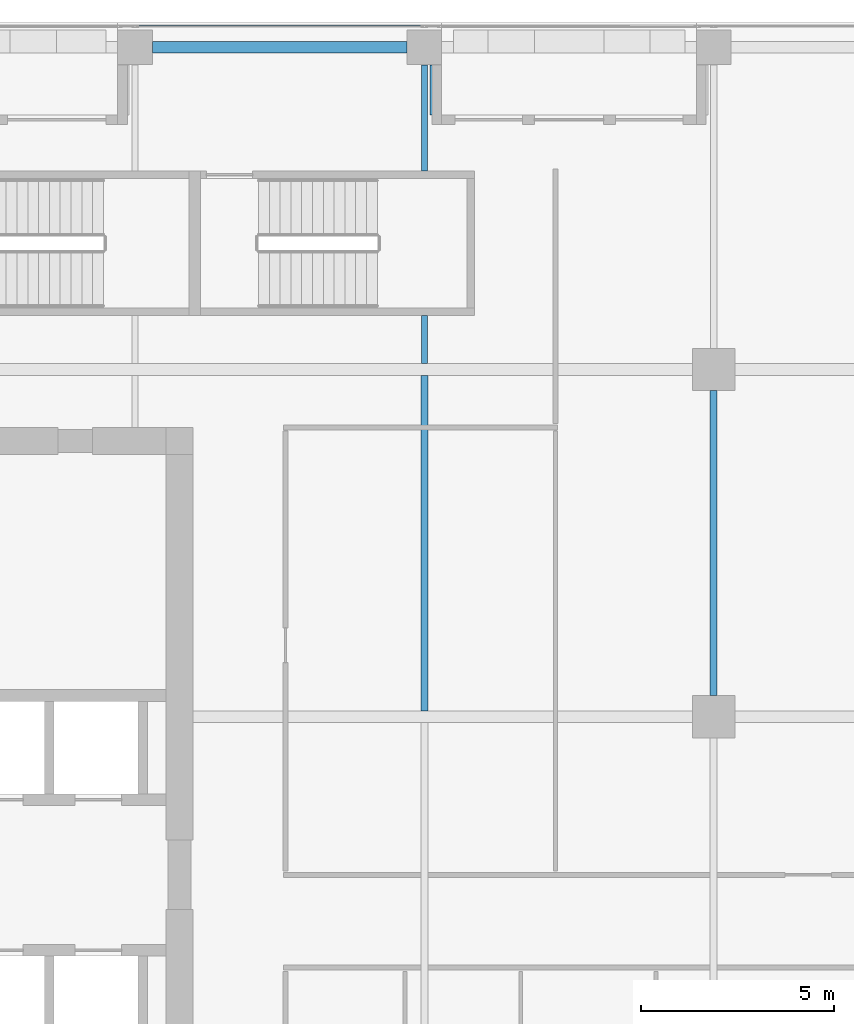
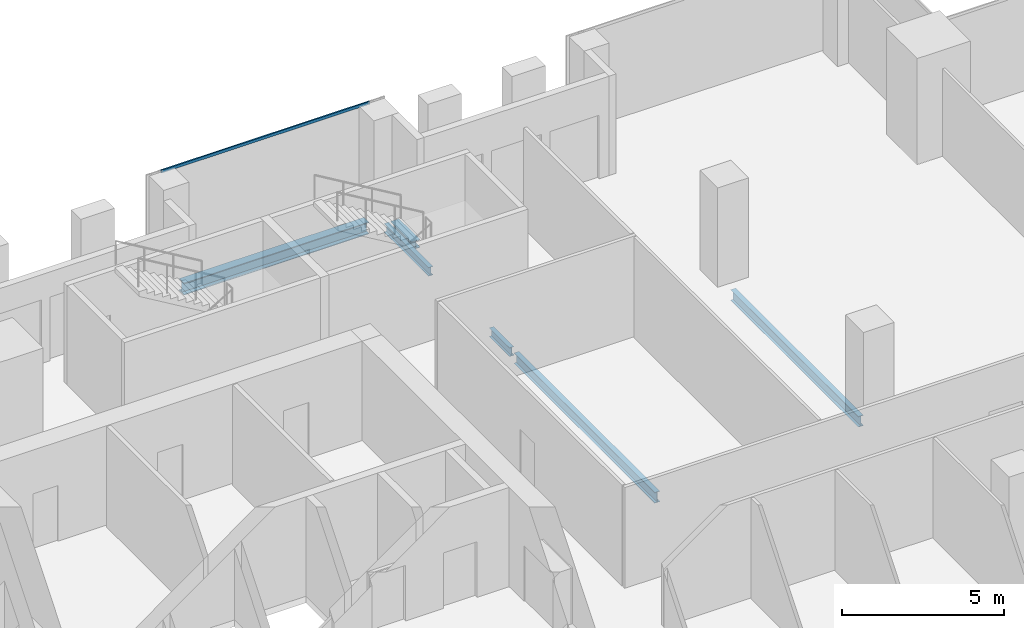
# One storey, part 19 of 34: 6 beams, 1 member, 1 element without a shape of its own.
"""IFC4 building model written with IfcOpenShell, lengths in metres."""

from ifc_helpers import new_model, si_unit, direction, frame, origin, origin_2d, place, context, subcontext, project, spatial, hollow_rectangle, i_section, extrude, source, transform, mapped, material, material_profile, profile_set, type_object, element, aggregate, save


model = new_model("IFC4")

# Units and contexts
model_context = context("Model", 3, precision=1e-05, world=origin(), true_north=direction((0.0, 1.0)))
body_context = subcontext(model_context, "Body", "Model", "MODEL_VIEW")
ifc_project = project(units=[si_unit("LENGTHUNIT", "METRE"), si_unit("AREAUNIT", "SQUARE_METRE"), si_unit("VOLUMEUNIT", "CUBIC_METRE"), si_unit("PLANEANGLEUNIT", "RADIAN"), si_unit("MASSUNIT", "GRAM", prefix="KILO")], contexts=[model_context])

# Site, building, storey
site_placement = place(None, origin())
site = spatial("IfcSite", under=ifc_project, at=site_placement, CompositionType="ELEMENT")
building_placement = place(site_placement, origin())
building = spatial("IfcBuilding", under=site, at=building_placement, Name="Khomas Fold Tower", CompositionType="ELEMENT")
storey_placement = place(building_placement, frame((0.0, 0.0, 242.199951171875)))
storey = spatial("IfcBuildingStorey", under=building, at=storey_placement, Name="L54", CompositionType="ELEMENT", Elevation=242.199951171875)

# Beams
ifc_material_1 = material(Name="Steel S355", Category="steel")
ifc_material_profile_1 = material_profile(ifc_material_1, i_section(OverallWidth=0.179931640625, OverallDepth=0.39990234375, WebThickness=0.008544921875, FlangeThickness=0.013427734375, at=origin_2d()), Name="IPE 400")
ifc_profile_set_1 = profile_set([ifc_material_profile_1], Name="Steel S355")
beam_type_1 = type_object("IfcBeamType", Name="IPE 400 beam JB3", PredefinedType="BEAM", material=ifc_profile_set_1)
shared_shape_1 = source(origin(), body_context, "Body", "SweptSolid", [
    extrude(i_section(OverallWidth=0.179931640625, OverallDepth=0.39990234375, WebThickness=0.008544921875, FlangeThickness=0.013427734375, at=origin_2d()), origin(), (0.0, 0.0, 1.0), 8.7001953125),
])
beam_1_placement = place(storey_placement, frame((27.0, 31.64990234375, -0.449951171875), z_axis=(0.0, 1.0, 0.0), x_axis=(-1.0, 0.0, 0.0)))
element("IfcBeam", 1, at=beam_1_placement, inside=storey, type_object=beam_type_1, Name="JB3", PredefinedType="BEAM", context=body_context, shape_type="MappedRepresentation", body=[
    mapped(shared_shape_1, transform((0.0, 0.0, 0.0))),
])
ifc_material_2 = material(Name="Steel S355", Category="steel")
ifc_material_profile_2 = material_profile(ifc_material_2, i_section(OverallWidth=0.159912109375, OverallDepth=0.330078125, WebThickness=0.007568359375, FlangeThickness=0.011474609375, at=origin_2d()), Name="IPE 330")
ifc_profile_set_2 = profile_set([ifc_material_profile_2], Name="Steel S355")
beam_type_2 = type_object("IfcBeamType", Name="IPE 330 beam JB1", PredefinedType="BEAM", material=ifc_profile_set_2)
shared_shape_2 = source(origin(), body_context, "Body", "SweptSolid", [
    extrude(i_section(OverallWidth=0.159912109375, OverallDepth=0.330078125, WebThickness=0.007568359375, FlangeThickness=0.011474609375, at=origin_2d()), origin(), (0.0, 0.0, 1.0), 1.25),
])
beam_2_placement = place(storey_placement, frame((27.0, 40.64990234375, -0.4150390625), z_axis=(0.0, 1.0, 0.0), x_axis=(-1.0, 0.0, 0.0)))
element("IfcBeam", 2, at=beam_2_placement, inside=storey, type_object=beam_type_2, Name="JB1", PredefinedType="BEAM", context=body_context, shape_type="MappedRepresentation", body=[
    mapped(shared_shape_2, transform((0.0, 0.0, 0.0))),
])
shared_shape_3 = source(origin(), body_context, "Body", "SweptSolid", [
    extrude(i_section(OverallWidth=0.159912109375, OverallDepth=0.330078125, WebThickness=0.007568359375, FlangeThickness=0.011474609375, at=origin_2d()), origin(), (0.0, 0.0, 1.0), 2.75),
])
beam_3_placement = place(storey_placement, frame((27.0, 45.64990234375, -0.4150390625), z_axis=(0.0, 1.0, 0.0), x_axis=(-1.0, 0.0, 0.0)))
element("IfcBeam", 3, at=beam_3_placement, inside=storey, type_object=beam_type_2, Name="JB1", PredefinedType="BEAM", context=body_context, shape_type="MappedRepresentation", body=[
    mapped(shared_shape_3, transform((0.0, 0.0, 0.0))),
])
ifc_material_3 = material(Name="Steel S355", Category="steel")
ifc_material_profile_3 = material_profile(ifc_material_3, i_section(OverallWidth=0.300048828125, OverallDepth=0.449951171875, WebThickness=0.013916015625, FlangeThickness=0.02587890625, at=origin_2d()), Name="HE 450 B")
ifc_profile_set_3 = profile_set([ifc_material_profile_3], Name="Steel S355")
beam_type_3 = type_object("IfcBeamType", Name="HE 450 B spandrel SB4", PredefinedType="SPANDREL", material=ifc_profile_set_3)
shared_shape_4 = source(origin(), body_context, "Body", "SweptSolid", [
    extrude(i_section(OverallWidth=0.300048828125, OverallDepth=0.449951171875, WebThickness=0.013916015625, FlangeThickness=0.02587890625, at=origin_2d()), origin(), (0.0, 0.0, 1.0), 6.60009765625),
])
beam_4_placement = place(storey_placement, frame((19.949951171875, 48.85009765625, -0.474853515625), z_axis=(1.0, 0.0, 0.0), x_axis=(0.0, 1.0, 0.0)))
element("IfcBeam", 4, at=beam_4_placement, inside=storey, type_object=beam_type_3, Name="SB4", PredefinedType="SPANDREL", context=body_context, shape_type="MappedRepresentation", body=[
    mapped(shared_shape_4, transform((0.0, 0.0, 0.0))),
])
shared_shape_5 = source(origin(), body_context, "Body", "SweptSolid", [
    extrude(i_section(OverallWidth=0.179931640625, OverallDepth=0.39990234375, WebThickness=0.008544921875, FlangeThickness=0.013427734375, at=origin_2d()), origin(), (0.0, 0.0, 1.0), 7.89990234375),
])
beam_5_placement = place(storey_placement, frame((34.5, 32.050048828125, -0.449951171875), z_axis=(0.0, 1.0, 0.0), x_axis=(-1.0, 0.0, 0.0)))
element("IfcBeam", 5, at=beam_5_placement, inside=storey, type_object=beam_type_1, Name="JB3", PredefinedType="BEAM", context=body_context, shape_type="MappedRepresentation", body=[
    mapped(shared_shape_5, transform((0.0, 0.0, 0.0))),
])
ifc_material_4 = material(Name="Steel S355", Category="steel")
ifc_material_profile_4 = material_profile(ifc_material_4, i_section(OverallWidth=0.300048828125, OverallDepth=0.300048828125, WebThickness=0.010986328125, FlangeThickness=0.01904296875, at=origin_2d()), Name="HE 300 B")
ifc_profile_set_4 = profile_set([ifc_material_profile_4], Name="Steel S355")
beam_type_4 = type_object("IfcBeamType", Name="HE 300 B beam BB1", PredefinedType="BEAM", material=ifc_profile_set_4)
shared_shape_6 = source(origin(), body_context, "Body", "SweptSolid", [
    extrude(i_section(OverallWidth=0.300048828125, OverallDepth=0.300048828125, WebThickness=0.010986328125, FlangeThickness=0.01904296875, at=origin_2d()), origin(), (0.0, 0.0, 1.0), 1.2998046875),
])
beam_6_placement = place(storey_placement, frame((27.300048828125, 47.10009765625, -0.39990234375), z_axis=(0.0, 1.0, 0.0), x_axis=(-1.0, 0.0, 0.0)))
element("IfcBeam", 6, at=beam_6_placement, inside=storey, type_object=beam_type_4, Name="BB1", PredefinedType="BEAM", context=body_context, shape_type="MappedRepresentation", body=[
    mapped(shared_shape_6, transform((0.0, 0.0, 0.0))),
])

# Curtain wall, member
ifc_material_5 = material(Name="Aluminium framed double glazing", Category="aluminium")
curtain_wall_type = type_object("IfcCurtainWallType", Name="SK-Unitised clear-glass wall, office floors CW2", PredefinedType="NOTDEFINED", material=ifc_material_5)
curtain_wall_placement = place(storey_placement, origin())
curtain_wall = element("IfcCurtainWall", 7, at=curtain_wall_placement, inside=storey, type_object=curtain_wall_type, Name="CW2 run L54 06-1", PredefinedType="NOTDEFINED")
ifc_material_6 = material(Name="Aluminium", Category="aluminium")
ifc_material_profile_5 = material_profile(ifc_material_6, hollow_rectangle(XDim=0.050048828125, YDim=0.110107421875, WallThickness=0.00390625, at=origin_2d()), Name="SK-Unitised clear-glass wall, office floors transom CW2-T")
ifc_profile_set_5 = profile_set([ifc_material_profile_5], Name="Aluminium")
member_type = type_object("IfcMemberType", Name="SK-Unitised clear-glass wall, office floors transom CW2-T", PredefinedType="USERDEFINED", material=ifc_profile_set_5)
shared_shape_7 = source(origin(), body_context, "Body", "SweptSolid", [
    extrude(hollow_rectangle(XDim=0.050048828125, YDim=0.110107421875, WallThickness=0.00390625, at=origin_2d()), origin(), (0.0, 0.0, 1.0), 7.43994140625),
])
member_placement = place(storey_placement, frame((26.969970703125, 49.39990234375, 3.695068359375), z_axis=(-1.0, 0.0, 0.0), x_axis=(0.0, -1.0, 0.0)))
member = element("IfcMember", 8, at=member_placement, type_object=member_type, Name="CW2 transom 2", ObjectType="TRANSOM", PredefinedType="USERDEFINED", context=body_context, shape_type="MappedRepresentation", body=[
    mapped(shared_shape_7, transform((0.0, 0.0, 0.0))),
])
aggregate(curtain_wall, [member])

save(model, "model.ifc")
